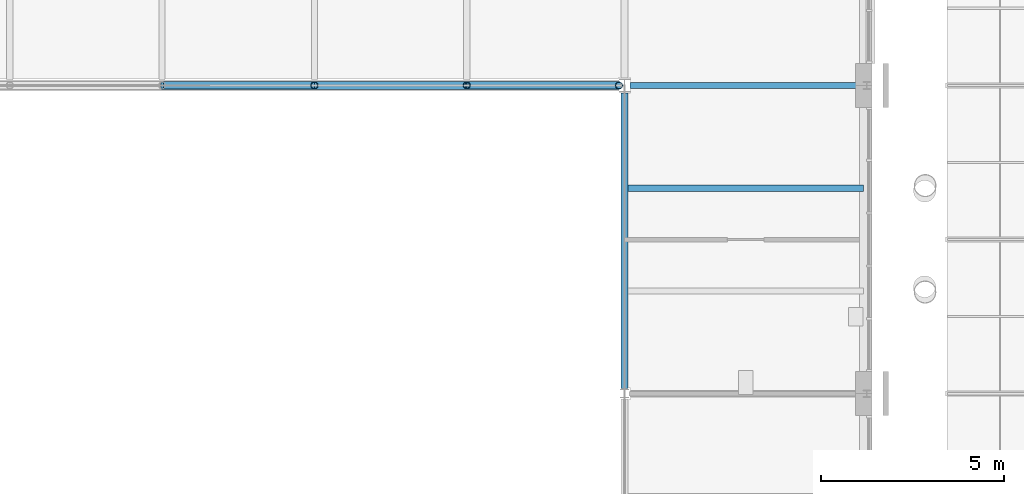
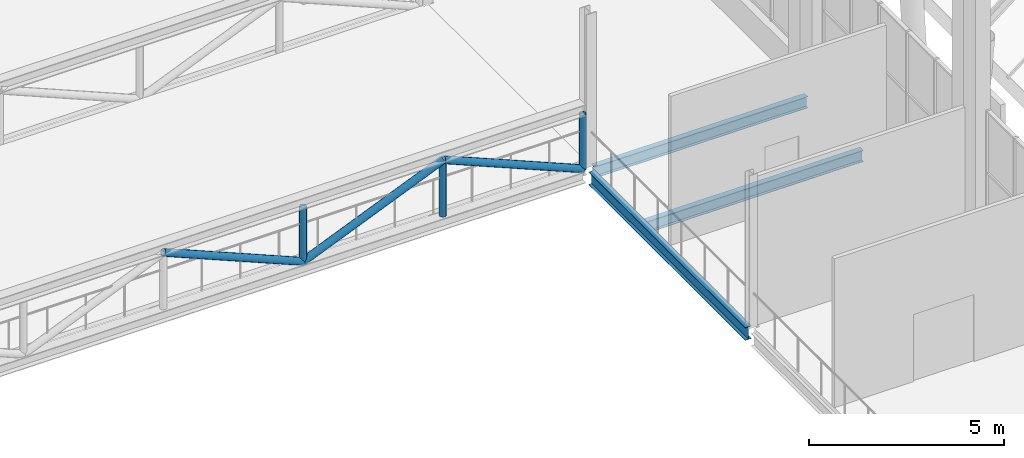
# One storey, part 28 of 76: 6 members, 3 beams.
"""IFC4 building model written with IfcOpenShell, lengths in metres."""

from ifc_helpers import new_model, si_unit, direction, frame, origin, origin_2d, place, context, subcontext, project, spatial, hollow_circle, i_section, extrude, material, material_profile, profile_set, type_object, element, save


model = new_model("IFC4")

# Units and contexts
model_context = context("Model", 3, precision=1e-05, world=origin(), true_north=direction((0.0, 1.0)))
body_context = subcontext(model_context, "Body", "Model", "MODEL_VIEW")
ifc_project = project(units=[si_unit("LENGTHUNIT", "METRE"), si_unit("AREAUNIT", "SQUARE_METRE"), si_unit("VOLUMEUNIT", "CUBIC_METRE"), si_unit("PLANEANGLEUNIT", "RADIAN"), si_unit("MASSUNIT", "GRAM", prefix="KILO")], contexts=[model_context])

# Site, building, storey
site_placement = place(None, origin())
site = spatial("IfcSite", under=ifc_project, at=site_placement, CompositionType="ELEMENT")
building_placement = place(site_placement, origin())
building = spatial("IfcBuilding", under=site, at=building_placement, Name="Sava Quay Ferry Terminal", CompositionType="ELEMENT")
storey_placement = place(building_placement, frame((0.0, 0.0, 6.0)))
storey = spatial("IfcBuildingStorey", under=building, at=storey_placement, Name="L01", CompositionType="ELEMENT", Elevation=6.0)

# Beams
ifc_material_1 = material(Name="Steel S355", Category="steel")
ifc_material_profile_1 = material_profile(ifc_material_1, i_section(OverallWidth=0.169921875, OverallDepth=0.360107421875, WebThickness=0.008056640625, FlangeThickness=0.0126953125, at=origin_2d()), Name="IPE 360")
ifc_profile_set_1 = profile_set([ifc_material_profile_1], Name="Steel S355")
beam_type_1 = type_object("IfcBeamType", Name="Beam IPE 360", PredefinedType="BEAM", material=ifc_profile_set_1)
beam_1_placement = place(storey_placement, frame((75.75, 84.0, -0.31005859375), z_axis=(1.0, 0.0, 0.0), x_axis=(0.0, 1.0, 0.0)))
element("IfcBeam", 1, at=beam_1_placement, inside=storey, type_object=beam_type_1, Name="Beam L01", PredefinedType="BEAM", context=body_context, shape_type="SweptSolid", body=[
    extrude(i_section(OverallWidth=0.169921875, OverallDepth=0.360107421875, WebThickness=0.008056640625, FlangeThickness=0.0126953125, at=origin_2d()), origin(), (0.0, 0.0, 1.0), 6.330078125),
])
beam_2_placement = place(storey_placement, frame((75.68994140625, 81.199951171875, -0.31005859375), z_axis=(1.0, 0.0, 0.0), x_axis=(0.0, 1.0, 0.0)))
element("IfcBeam", 2, at=beam_2_placement, inside=storey, type_object=beam_type_1, Name="Secondary beam L01", PredefinedType="BEAM", context=body_context, shape_type="SweptSolid", body=[
    extrude(i_section(OverallWidth=0.169921875, OverallDepth=0.360107421875, WebThickness=0.008056640625, FlangeThickness=0.0126953125, at=origin_2d()), origin(), (0.0, 0.0, 1.0), 6.420166015625),
])
ifc_material_2 = material(Name="Steel S355", Category="steel")
ifc_material_profile_2 = material_profile(ifc_material_2, i_section(OverallWidth=0.179931640625, OverallDepth=0.39990234375, WebThickness=0.008544921875, FlangeThickness=0.013427734375, at=origin_2d()), Name="IPE 400")
ifc_profile_set_2 = profile_set([ifc_material_profile_2], Name="Steel S355")
beam_type_2 = type_object("IfcBeamType", Name="Beam IPE 400", PredefinedType="BEAM", material=ifc_profile_set_2)
beam_3_placement = place(storey_placement, frame((75.60009765625, 75.7451171875, -0.330078125), z_axis=(0.0, 1.0, 0.0), x_axis=(-1.0, 0.0, 0.0)))
element("IfcBeam", 3, at=beam_3_placement, inside=storey, type_object=beam_type_2, Name="Girder L01", PredefinedType="BEAM", context=body_context, shape_type="SweptSolid", body=[
    extrude(i_section(OverallWidth=0.179931640625, OverallDepth=0.39990234375, WebThickness=0.008544921875, FlangeThickness=0.013427734375, at=origin_2d()), origin(), (0.0, 0.0, 1.0), 8.054931640625),
])

# Members
ifc_material_3 = material(Name="Steel S355", Category="steel")
ifc_material_profile_3 = material_profile(ifc_material_3, hollow_circle(Radius=0.096923828125, WallThickness=0.008056640625, at=origin_2d()), Name="CHS 193.7 x 8")
ifc_profile_set_3 = profile_set([ifc_material_profile_3], Name="Steel S355")
member_type_1 = type_object("IfcMemberType", Name="Brace CHS 193.7 x 8", PredefinedType="BRACE", material=ifc_profile_set_3)
for number, where, z_axis, x_axis, name in (
    (4, (67.14990234375, 84.0, -0.1298828125), (0.0, 0.0, 1.0), (1.0, 0.0, 0.0), "Truss post 84"),
    (5, (71.300048828125, 84.0, -0.1298828125), (0.0, 0.0, 1.0), (1.0, 0.0, 0.0), "Truss post 84"),
    (6, (75.449951171875, 84.0, -0.1298828125), (0.0, 0.0, 1.0), (1.0, 0.0, 0.0), "Truss post 84"),
):
    element("IfcMember", number, at=place(storey_placement, frame(where, z_axis=z_axis, x_axis=x_axis)), inside=storey, type_object=member_type_1, Name=name, PredefinedType="BRACE", context=body_context, shape_type="SweptSolid", body=[
        extrude(hollow_circle(Radius=0.096923828125, WallThickness=0.008056640625, at=origin_2d()), origin(), (0.0, 0.0, 1.0), 1.739990234375),
    ])
ifc_material_4 = material(Name="Steel S355", Category="steel")
ifc_material_profile_4 = material_profile(ifc_material_4, hollow_circle(Radius=0.109619140625, WallThickness=0.010009765625, at=origin_2d()), Name="CHS 219.1 x 10")
ifc_profile_set_4 = profile_set([ifc_material_profile_4], Name="Steel S355")
member_type_2 = type_object("IfcMemberType", Name="Brace CHS 219.1 x 10", PredefinedType="BRACE", material=ifc_profile_set_4)
member_1_placement = place(storey_placement, frame((67.14990234375, 84.0, -0.1298828125), z_axis=(-0.922217474343, 0.0, 0.386671604874), x_axis=(0.0, -1.0, 0.0)))
element("IfcMember", 7, at=member_1_placement, inside=storey, type_object=member_type_2, Name="Truss diagonal 84", PredefinedType="BRACE", context=body_context, shape_type="SweptSolid", body=[
    extrude(hollow_circle(Radius=0.109619140625, WallThickness=0.010009765625, at=origin_2d()), origin(), (0.0, 0.0, 1.0), 4.5),
])
member_2_placement = place(storey_placement, frame((67.14990234375, 84.0, -0.1298828125), z_axis=(0.922225585588, 0.0, 0.386652258867), x_axis=(0.0, 1.0, 0.0)))
element("IfcMember", 8, at=member_2_placement, inside=storey, type_object=member_type_2, Name="Truss diagonal 84", PredefinedType="BRACE", context=body_context, shape_type="SweptSolid", body=[
    extrude(hollow_circle(Radius=0.109619140625, WallThickness=0.010009765625, at=origin_2d()), origin(), (0.0, 0.0, 1.0), 4.500244140625),
])
member_3_placement = place(storey_placement, frame((75.449951171875, 84.0, -0.1298828125), z_axis=(-0.922217474343, 0.0, 0.386671604874), x_axis=(0.0, -1.0, 0.0)))
element("IfcMember", 9, at=member_3_placement, inside=storey, type_object=member_type_2, Name="Truss diagonal 84", PredefinedType="BRACE", context=body_context, shape_type="SweptSolid", body=[
    extrude(hollow_circle(Radius=0.109619140625, WallThickness=0.010009765625, at=origin_2d()), origin(), (0.0, 0.0, 1.0), 4.5),
])

save(model, "model.ifc")
